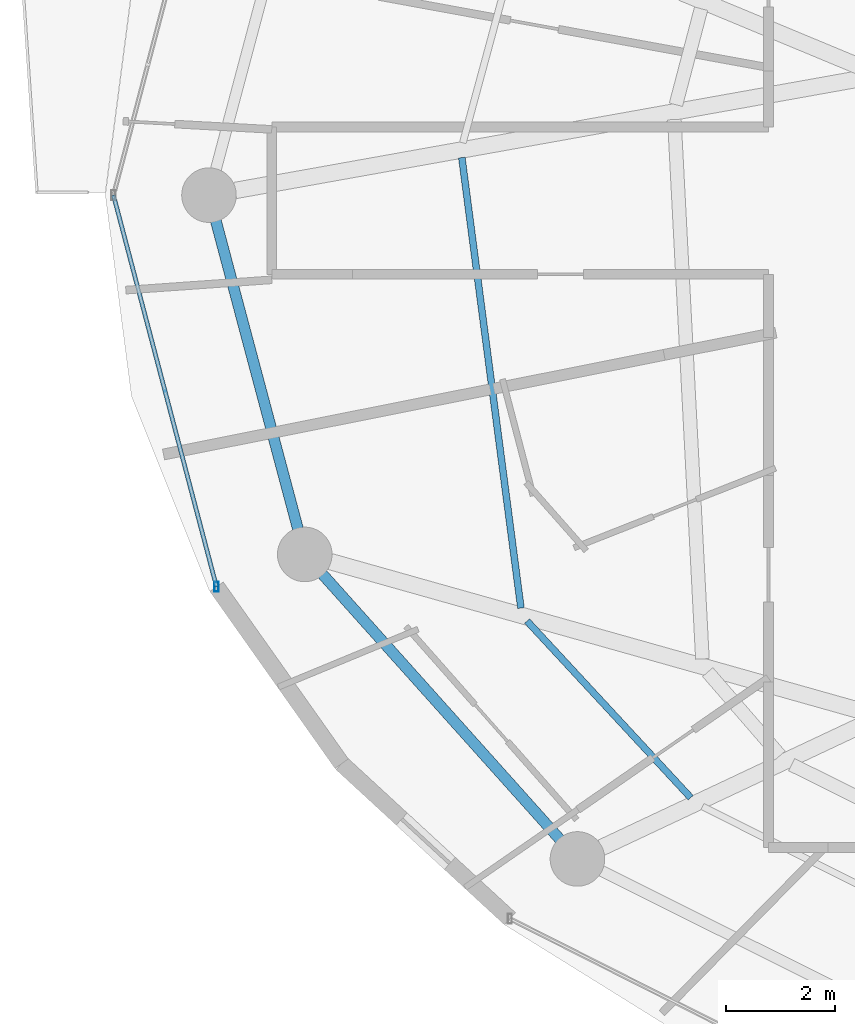
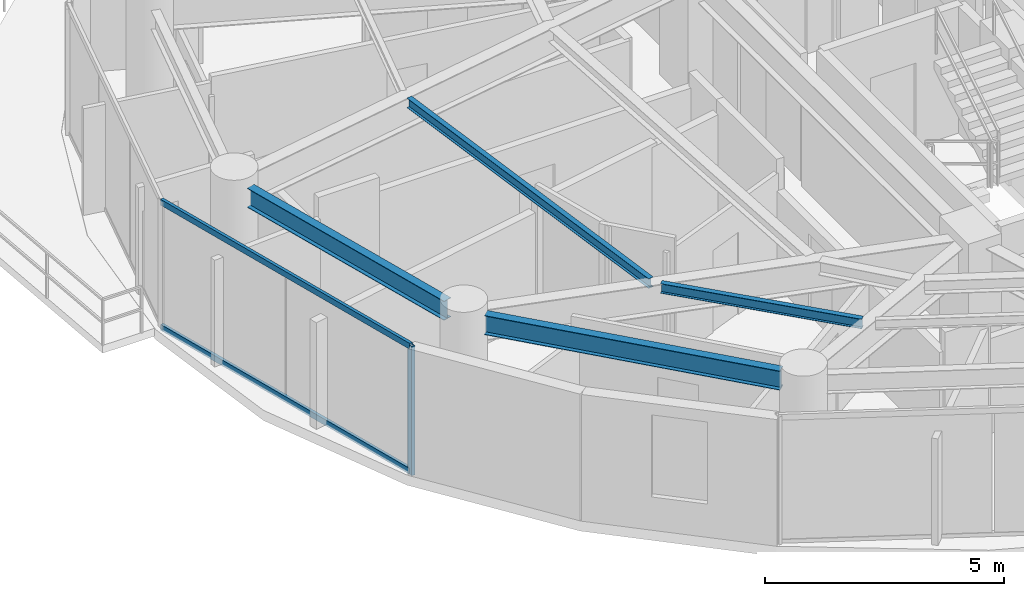
# One storey, part 3 of 29: 4 beams, 3 members, 1 element without a shape of its own.
"""IFC4 building model written with IfcOpenShell, lengths in metres."""

from ifc_helpers import new_model, si_unit, direction, frame, origin, origin_2d, place, context, subcontext, project, spatial, hollow_rectangle, i_section, extrude, material, material_profile, profile_set, type_object, element, aggregate, save


model = new_model("IFC4")

# Units and contexts
model_context = context("Model", 3, precision=1e-05, world=origin(), true_north=direction((0.0, 1.0)))
body_context = subcontext(model_context, "Body", "Model", "MODEL_VIEW")
ifc_project = project(units=[si_unit("LENGTHUNIT", "METRE"), si_unit("AREAUNIT", "SQUARE_METRE"), si_unit("VOLUMEUNIT", "CUBIC_METRE"), si_unit("PLANEANGLEUNIT", "RADIAN"), si_unit("MASSUNIT", "GRAM", prefix="KILO")], contexts=[model_context])

# Site, building, storey
site_placement = place(None, origin())
site = spatial("IfcSite", under=ifc_project, at=site_placement, CompositionType="ELEMENT")
building_placement = place(site_placement, origin())
building = spatial("IfcBuilding", under=site, at=building_placement, Name="Vorneva Point Tower", CompositionType="ELEMENT")
storey_placement = place(building_placement, frame((0.0, 0.0, 150.10009765625)))
storey = spatial("IfcBuildingStorey", under=building, at=storey_placement, Name="L40", CompositionType="ELEMENT", Elevation=150.10009765625)

# Beams
ifc_material_1 = material(Name="Steel S355", Category="steel")
ifc_material_profile_1 = material_profile(ifc_material_1, i_section(OverallWidth=0.1240234375, OverallDepth=0.248046875, WebThickness=0.0048828125, FlangeThickness=0.008056640625, at=origin_2d()), Name="25B1")
ifc_profile_set_1 = profile_set([ifc_material_profile_1], Name="Steel S355")
beam_type_1 = type_object("IfcBeamType", Name="BM-JST-25B1", PredefinedType="JOIST", material=ifc_profile_set_1)
beam_1_placement = place(storey_placement, frame((19.5830078125, 26.688720703125, 3.115966796875), z_axis=(0.130067594858, -0.991505128967, 0.0), x_axis=(0.991505128967, 0.130067594858, 0.0)))
element("IfcBeam", 1, at=beam_1_placement, inside=storey, type_object=beam_type_1, Name="L40 Secondary Floor Beam 1.09", PredefinedType="JOIST", context=body_context, shape_type="SweptSolid", body=[
    extrude(i_section(OverallWidth=0.1240234375, OverallDepth=0.248046875, WebThickness=0.0048828125, FlangeThickness=0.008056640625, at=origin_2d()), origin(), (0.0, 0.0, 1.0), 8.32470703125),
])
beam_2_placement = place(storey_placement, frame((20.777587890625, 18.19677734375, 3.115966796875), z_axis=(0.679705864684, -0.733484790241, 0.0), x_axis=(0.733484790241, 0.679705864684, 0.0)))
element("IfcBeam", 2, at=beam_2_placement, inside=storey, type_object=beam_type_1, Name="L40 Secondary Floor Beam 1.10", PredefinedType="JOIST", context=body_context, shape_type="SweptSolid", body=[
    extrude(i_section(OverallWidth=0.1240234375, OverallDepth=0.248046875, WebThickness=0.0048828125, FlangeThickness=0.008056640625, at=origin_2d()), origin(), (0.0, 0.0, 1.0), 4.41259765625),
])
ifc_material_profile_2 = material_profile(ifc_material_1, i_section(OverallWidth=0.199951171875, OverallDepth=0.491943359375, WebThickness=0.0087890625, FlangeThickness=0.011962890625, at=origin_2d()), Name="50B1")
ifc_profile_set_2 = profile_set([ifc_material_profile_2], Name="Steel S355")
beam_type_2 = type_object("IfcBeamType", Name="BM-SPN-50B1", PredefinedType="SPANDREL", material=ifc_profile_set_2)
beam_3_placement = place(storey_placement, frame((15.074951171875, 25.531494140625, 2.993896484375), z_axis=(0.257550804648, -0.966264758245, 0.0), x_axis=(0.966264758245, 0.257550804648, 0.0)))
element("IfcBeam", 3, at=beam_3_placement, inside=storey, type_object=beam_type_2, Name="L40 Perimeter Spandrel Ring Beam 09", PredefinedType="SPANDREL", context=body_context, shape_type="SweptSolid", body=[
    extrude(i_section(OverallWidth=0.199951171875, OverallDepth=0.491943359375, WebThickness=0.0087890625, FlangeThickness=0.011962890625, at=origin_2d()), origin(), (0.0, 0.0, 1.0), 5.842041015625),
])
beam_4_placement = place(storey_placement, frame((17.028076171875, 19.056396484375, 2.993896484375), z_axis=(0.667111118975, -0.74495822362, 0.0), x_axis=(0.74495822362, 0.667111118975, 0.0)))
element("IfcBeam", 4, at=beam_4_placement, inside=storey, type_object=beam_type_2, Name="L40 Perimeter Spandrel Ring Beam 10", PredefinedType="SPANDREL", context=body_context, shape_type="SweptSolid", body=[
    extrude(i_section(OverallWidth=0.199951171875, OverallDepth=0.491943359375, WebThickness=0.0087890625, FlangeThickness=0.011962890625, at=origin_2d()), origin(), (0.0, 0.0, 1.0), 6.52001953125),
])

# Curtain wall, members
ifc_material_2 = material(Name="Pale anodised aluminium", Category="aluminium")
curtain_wall_type = type_object("IfcCurtainWallType", Name="CW-RES-SYS", PredefinedType="NOTDEFINED", material=ifc_material_2)
curtain_wall_placement = place(storey_placement, origin())
curtain_wall = element("IfcCurtainWall", 5, at=curtain_wall_placement, inside=storey, type_object=curtain_wall_type, Name="L40 Unitised Curtain Wall CW-L40-R03", PredefinedType="NOTDEFINED")
ifc_material_profile_3 = material_profile(ifc_material_2, hollow_rectangle(XDim=0.074951171875, YDim=0.179931640625, WallThickness=0.00390625, at=origin_2d()), Name="AL-MUL 180x75x4")
ifc_profile_set_3 = profile_set([ifc_material_profile_3], Name="Pale anodised aluminium")
member_type_1 = type_object("IfcMemberType", Name="CW-MUL-180", PredefinedType="MULLION", material=ifc_profile_set_3)
member_1_placement = place(storey_placement, frame((15.087890625, 18.82470703125, -0.0400390625), z_axis=(0.0, 0.0, 1.0), x_axis=(1.0, 0.0, 0.0)))
member_1 = element("IfcMember", 6, at=member_1_placement, type_object=member_type_1, Name="CW-L40-R03 Mullion 05", PredefinedType="MULLION", context=body_context, shape_type="SweptSolid", body=[
    extrude(hollow_rectangle(XDim=0.074951171875, YDim=0.179931640625, WallThickness=0.00390625, at=origin_2d()), origin(), (0.0, 0.0, 1.0), 3.31005859375),
])
ifc_material_profile_4 = material_profile(ifc_material_2, hollow_rectangle(XDim=0.074951171875, YDim=0.14990234375, WallThickness=0.00390625, at=origin_2d()), Name="AL-TRN 150x75x4")
ifc_profile_set_4 = profile_set([ifc_material_profile_4], Name="Pale anodised aluminium")
member_type_2 = type_object("IfcMemberType", Name="CW-TRN-150", PredefinedType="USERDEFINED", material=ifc_profile_set_4)
member_2_placement = place(storey_placement, frame((13.199951171875, 26.0, 0.02001953125), z_axis=(0.254456046293, -0.967084339913, 0.0), x_axis=(0.967084339913, 0.254456046293, 0.0)))
member_2 = element("IfcMember", 7, at=member_2_placement, type_object=member_type_2, Name="CW-L40-R03 Transom 04.1", ObjectType="TRANSOM", PredefinedType="USERDEFINED", context=body_context, shape_type="SweptSolid", body=[
    extrude(hollow_rectangle(XDim=0.074951171875, YDim=0.14990234375, WallThickness=0.00390625, at=origin_2d()), origin(), (0.0, 0.0, 1.0), 7.41943359375),
])
member_3_placement = place(storey_placement, frame((13.199951171875, 26.0, 3.219970703125), z_axis=(0.254456046293, -0.967084339913, 0.0), x_axis=(0.967084339913, 0.254456046293, 0.0)))
member_3 = element("IfcMember", 8, at=member_3_placement, type_object=member_type_2, Name="CW-L40-R03 Transom 04.2", ObjectType="TRANSOM", PredefinedType="USERDEFINED", context=body_context, shape_type="SweptSolid", body=[
    extrude(hollow_rectangle(XDim=0.074951171875, YDim=0.14990234375, WallThickness=0.00390625, at=origin_2d()), origin(), (0.0, 0.0, 1.0), 7.41943359375),
])
aggregate(curtain_wall, [member_1, member_2, member_3])

save(model, "model.ifc")
